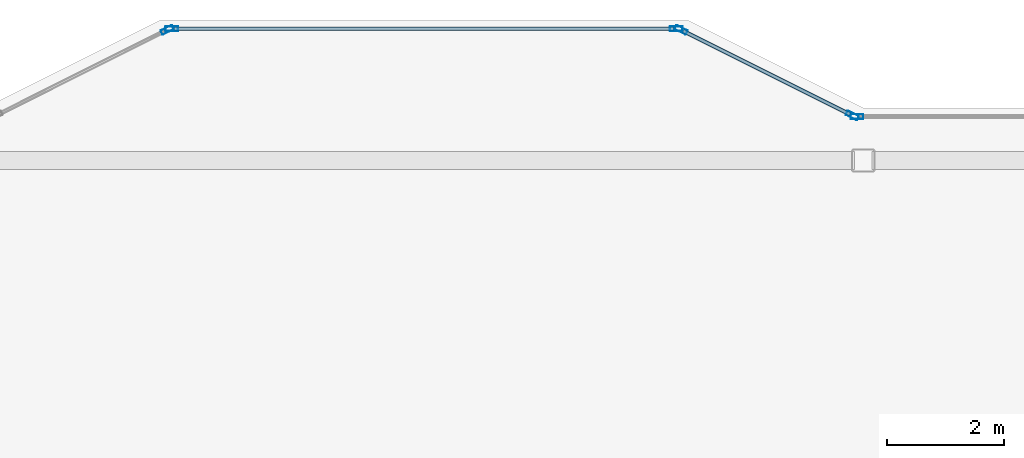
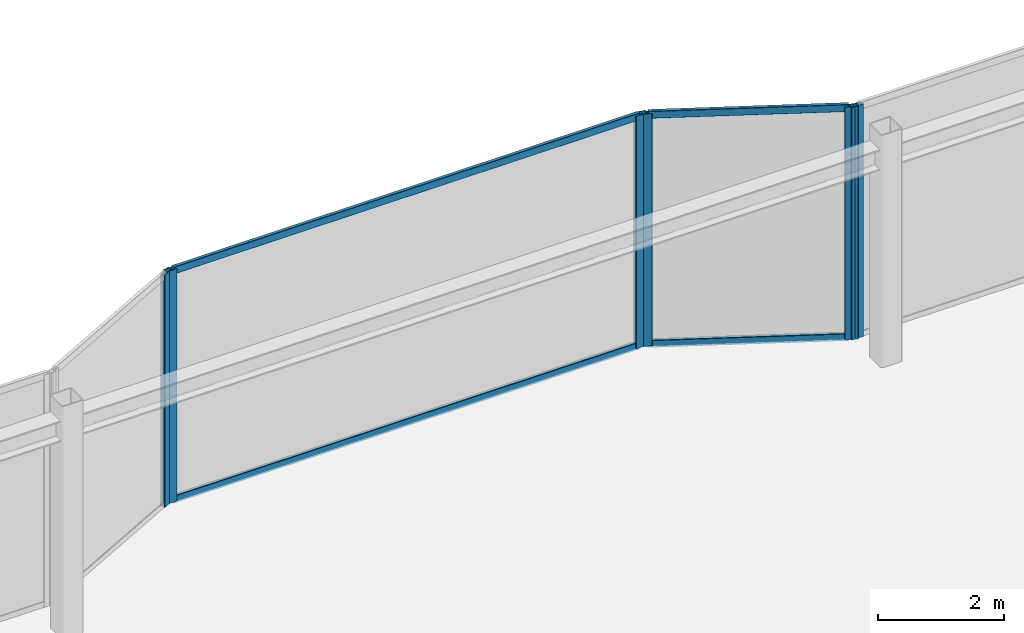
# One storey, part 6 of 12: 10 members, 4 elements without a shape of their own.
"""IFC4 building model written with IfcOpenShell, lengths in metres."""

from ifc_helpers import new_model, si_unit, direction, frame, origin, origin_2d, place, context, subcontext, project, spatial, hollow_rectangle, extrude, material, layer, layer_set, material_profile, profile_set, type_object, element, aggregate, save


model = new_model("IFC4")

# Units and contexts
model_context = context("Model", 3, precision=1e-05, world=origin(), true_north=direction((0.0, 1.0)))
body_context = subcontext(model_context, "Body", "Model", "MODEL_VIEW")
ifc_project = project(units=[si_unit("LENGTHUNIT", "METRE"), si_unit("AREAUNIT", "SQUARE_METRE"), si_unit("VOLUMEUNIT", "CUBIC_METRE"), si_unit("PLANEANGLEUNIT", "RADIAN"), si_unit("MASSUNIT", "GRAM", prefix="KILO")], contexts=[model_context])

# Site, building, storey
site_placement = place(None, origin())
site = spatial("IfcSite", under=ifc_project, at=site_placement, CompositionType="ELEMENT")
building_placement = place(site_placement, origin())
building = spatial("IfcBuilding", under=site, at=building_placement, Name="Tarnavaz Court Tower", CompositionType="ELEMENT")
storey_placement = place(building_placement, frame((0.0, 0.0, 299.550048828125)))
storey = spatial("IfcBuildingStorey", under=building, at=storey_placement, Name="C05", CompositionType="ELEMENT", Elevation=299.550048828125)

# Curtain wall, member
ifc_material_1 = material(Name="Anodised Aluminium 6063-T6 and Solar Low-E Glazing", Category="aluminium")
ifc_layer = layer(ifc_material_1, 0.2099609375)
ifc_layer_set = layer_set([ifc_layer], Name="Anodised Aluminium 6063-T6 and Solar Low-E Glazing")
curtain_wall_type = type_object("IfcCurtainWallType", Name="CW-SYS-06", PredefinedType="NOTDEFINED", material=ifc_layer_set)
curtain_wall_1_placement = place(storey_placement, origin())
curtain_wall_1 = element("IfcCurtainWall", 1, at=curtain_wall_1_placement, inside=storey, type_object=curtain_wall_type, Name="C05 Slanted Crown Terracotta Curtain Wall 4", PredefinedType="NOTDEFINED")
ifc_material_2 = material(Name="Anodised Aluminium 6063-T6", Category="aluminium")
ifc_material_profile_1 = material_profile(ifc_material_2, hollow_rectangle(XDim=0.0849609375, YDim=0.219970703125, WallThickness=0.006103515625, InnerFilletRadius=0.006103515625, OuterFilletRadius=0.011962890625, at=origin_2d()), Name="ALU RHS 220X85X6")
ifc_profile_set_1 = profile_set([ifc_material_profile_1], Name="Anodised Aluminium 6063-T6")
member_type_1 = type_object("IfcMemberType", Name="CW-MUL-220", PredefinedType="MULLION", material=ifc_profile_set_1)
member_1_placement = place(storey_placement, frame((-4.387939453125, 22.3310546875, 0.0), z_axis=(0.0, 0.0, 1.0), x_axis=(-0.447213595499, 0.894427191001, 0.0)))
member_1 = element("IfcMember", 2, at=member_1_placement, type_object=member_type_1, Name="CW mullion 2", PredefinedType="MULLION", context=body_context, shape_type="SweptSolid", body=[
    extrude(hollow_rectangle(XDim=0.0849609375, YDim=0.219970703125, WallThickness=0.006103515625, InnerFilletRadius=0.006103515625, OuterFilletRadius=0.011962890625, at=origin_2d()), origin(), (0.0, 0.0, 1.0), 4.5),
])
aggregate(curtain_wall_1, [member_1])

# Curtain wall, members
curtain_wall_2_placement = place(storey_placement, origin())
curtain_wall_2 = element("IfcCurtainWall", 3, at=curtain_wall_2_placement, inside=storey, type_object=curtain_wall_type, Name="C05 Slanted Crown Terracotta Curtain Wall 5", PredefinedType="NOTDEFINED")
member_2_placement = place(storey_placement, frame((-4.3076171875, 22.35009765625, 0.0), z_axis=(0.0, 0.0, 1.0), x_axis=(0.0, 1.0, 0.0)))
member_2 = element("IfcMember", 4, at=member_2_placement, type_object=member_type_1, Name="CW mullion 1", PredefinedType="MULLION", context=body_context, shape_type="SweptSolid", body=[
    extrude(hollow_rectangle(XDim=0.0849609375, YDim=0.219970703125, WallThickness=0.006103515625, InnerFilletRadius=0.006103515625, OuterFilletRadius=0.011962890625, at=origin_2d()), origin(), (0.0, 0.0, 1.0), 4.5),
])
member_3_placement = place(storey_placement, frame((4.3076171875, 22.35009765625, 0.0), z_axis=(0.0, 0.0, 1.0), x_axis=(0.0, 1.0, 0.0)))
member_3 = element("IfcMember", 5, at=member_3_placement, type_object=member_type_1, Name="CW mullion 2", PredefinedType="MULLION", context=body_context, shape_type="SweptSolid", body=[
    extrude(hollow_rectangle(XDim=0.0849609375, YDim=0.219970703125, WallThickness=0.006103515625, InnerFilletRadius=0.006103515625, OuterFilletRadius=0.011962890625, at=origin_2d()), origin(), (0.0, 0.0, 1.0), 4.5),
])

curtain_wall_3_placement = place(storey_placement, origin())
curtain_wall_3 = element("IfcCurtainWall", 6, at=curtain_wall_3_placement, inside=storey, type_object=curtain_wall_type, Name="C05 Slanted Crown Terracotta Curtain Wall 6", PredefinedType="NOTDEFINED")
member_4_placement = place(storey_placement, frame((4.387939453125, 22.3310546875, 0.0), z_axis=(0.0, 0.0, 1.0), x_axis=(0.447213595499, 0.894427191001, 0.0)))
member_4 = element("IfcMember", 7, at=member_4_placement, type_object=member_type_1, Name="CW mullion 1", PredefinedType="MULLION", context=body_context, shape_type="SweptSolid", body=[
    extrude(hollow_rectangle(XDim=0.0849609375, YDim=0.219970703125, WallThickness=0.006103515625, InnerFilletRadius=0.006103515625, OuterFilletRadius=0.011962890625, at=origin_2d()), origin(), (0.0, 0.0, 1.0), 4.5),
])
member_5_placement = place(storey_placement, frame((7.31201171875, 20.868896484375, 0.0), z_axis=(0.0, 0.0, 1.0), x_axis=(0.447213595499, 0.894427191001, 0.0)))
member_5 = element("IfcMember", 8, at=member_5_placement, type_object=member_type_1, Name="CW mullion 2", PredefinedType="MULLION", context=body_context, shape_type="SweptSolid", body=[
    extrude(hollow_rectangle(XDim=0.0849609375, YDim=0.219970703125, WallThickness=0.006103515625, InnerFilletRadius=0.006103515625, OuterFilletRadius=0.011962890625, at=origin_2d()), origin(), (0.0, 0.0, 1.0), 4.5),
])

# Curtain wall, member
curtain_wall_4_placement = place(storey_placement, origin())
curtain_wall_4 = element("IfcCurtainWall", 9, at=curtain_wall_4_placement, inside=storey, type_object=curtain_wall_type, Name="C05 Slanted Crown Terracotta Curtain Wall 7", PredefinedType="NOTDEFINED")
member_6_placement = place(storey_placement, frame((7.392578125, 20.85009765625, 0.0), z_axis=(0.0, 0.0, 1.0), x_axis=(0.0, 1.0, 0.0)))
member_6 = element("IfcMember", 10, at=member_6_placement, type_object=member_type_1, Name="CW mullion 1", PredefinedType="MULLION", context=body_context, shape_type="SweptSolid", body=[
    extrude(hollow_rectangle(XDim=0.0849609375, YDim=0.219970703125, WallThickness=0.006103515625, InnerFilletRadius=0.006103515625, OuterFilletRadius=0.011962890625, at=origin_2d()), origin(), (0.0, 0.0, 1.0), 4.5),
])
aggregate(curtain_wall_4, [member_6])

# Member
ifc_material_profile_2 = material_profile(ifc_material_2, hollow_rectangle(XDim=0.06494140625, YDim=0.139892578125, WallThickness=0.00390625, InnerFilletRadius=0.00390625, OuterFilletRadius=0.008056640625, at=origin_2d()), Name="ALU RHS 140X65X4")
ifc_profile_set_2 = profile_set([ifc_material_profile_2], Name="Anodised Aluminium 6063-T6")
member_type_2 = type_object("IfcMemberType", Name="CW-TRN-140", PredefinedType="USERDEFINED", material=ifc_profile_set_2)
member_7_placement = place(storey_placement, frame((-4.264892578125, 22.35009765625, 0.032470703125), z_axis=(1.0, 0.0, 0.0), x_axis=(0.0, 1.0, 0.0)))
member_7 = element("IfcMember", 11, at=member_7_placement, type_object=member_type_2, Name="CW transom 1.1", ObjectType="TRANSOM", PredefinedType="USERDEFINED", context=body_context, shape_type="SweptSolid", body=[
    extrude(hollow_rectangle(XDim=0.06494140625, YDim=0.139892578125, WallThickness=0.00390625, InnerFilletRadius=0.00390625, OuterFilletRadius=0.008056640625, at=origin_2d()), origin(), (0.0, 0.0, 1.0), 8.52978515625),
])

member_8_placement = place(storey_placement, frame((-4.264892578125, 22.35009765625, 4.467529296875), z_axis=(1.0, 0.0, 0.0), x_axis=(0.0, 1.0, 0.0)))
member_8 = element("IfcMember", 12, at=member_8_placement, type_object=member_type_2, Name="CW transom 1.2", ObjectType="TRANSOM", PredefinedType="USERDEFINED", context=body_context, shape_type="SweptSolid", body=[
    extrude(hollow_rectangle(XDim=0.06494140625, YDim=0.139892578125, WallThickness=0.00390625, InnerFilletRadius=0.00390625, OuterFilletRadius=0.008056640625, at=origin_2d()), origin(), (0.0, 0.0, 1.0), 8.52978515625),
])

aggregate(curtain_wall_2, [member_2, member_3, member_7, member_8])

member_9_placement = place(storey_placement, frame((4.426025390625, 22.31201171875, 0.032470703125), z_axis=(0.894411855509, -0.447244265168, 0.0), x_axis=(0.447244265168, 0.894411855509, 0.0)))
member_9 = element("IfcMember", 13, at=member_9_placement, type_object=member_type_2, Name="CW transom 1.1", ObjectType="TRANSOM", PredefinedType="USERDEFINED", context=body_context, shape_type="SweptSolid", body=[
    extrude(hollow_rectangle(XDim=0.06494140625, YDim=0.139892578125, WallThickness=0.00390625, InnerFilletRadius=0.00390625, OuterFilletRadius=0.008056640625, at=origin_2d()), origin(), (0.0, 0.0, 1.0), 3.18408203125),
])

member_10_placement = place(storey_placement, frame((4.426025390625, 22.31201171875, 4.467529296875), z_axis=(0.894411855509, -0.447244265168, 0.0), x_axis=(0.447244265168, 0.894411855509, 0.0)))
member_10 = element("IfcMember", 14, at=member_10_placement, type_object=member_type_2, Name="CW transom 1.2", ObjectType="TRANSOM", PredefinedType="USERDEFINED", context=body_context, shape_type="SweptSolid", body=[
    extrude(hollow_rectangle(XDim=0.06494140625, YDim=0.139892578125, WallThickness=0.00390625, InnerFilletRadius=0.00390625, OuterFilletRadius=0.008056640625, at=origin_2d()), origin(), (0.0, 0.0, 1.0), 3.18408203125),
])

aggregate(curtain_wall_3, [member_4, member_5, member_9, member_10])

save(model, "model.ifc")
